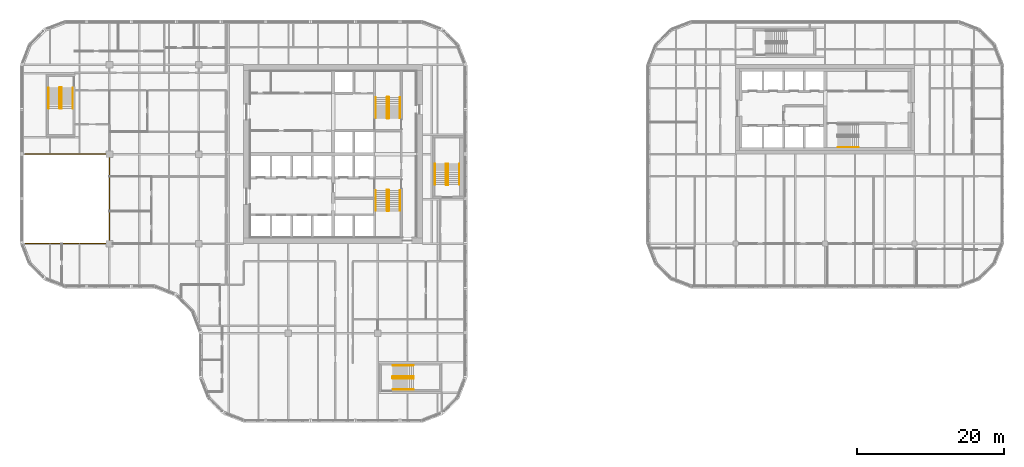
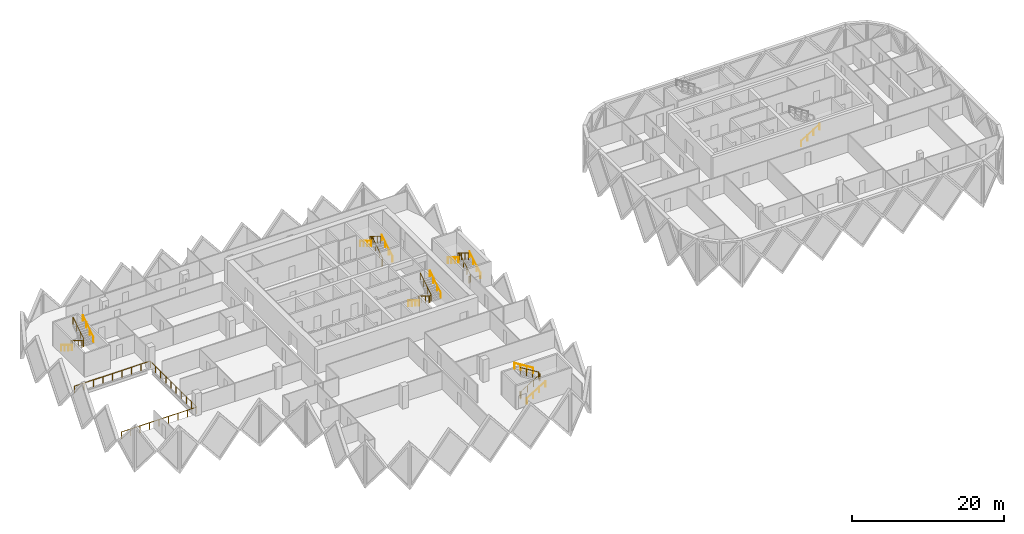
# One storey, part 20 of 21: 17 railings.
"""IFC4 building model written with IfcOpenShell, lengths in metres."""

from ifc_helpers import new_model, si_unit, direction, frame, origin, origin_2d, place, context, subcontext, project, spatial, circle, extrude, material, type_object, element, save


model = new_model("IFC4")

# Units and contexts
model_context = context("Model", 3, precision=1e-05, world=origin(), true_north=direction((0.0, 1.0)))
body_context = subcontext(model_context, "Body", "Model", "MODEL_VIEW")
ifc_project = project(units=[si_unit("LENGTHUNIT", "METRE"), si_unit("AREAUNIT", "SQUARE_METRE"), si_unit("VOLUMEUNIT", "CUBIC_METRE"), si_unit("PLANEANGLEUNIT", "RADIAN"), si_unit("MASSUNIT", "GRAM", prefix="KILO")], contexts=[model_context])

# Site, building, storey
site_placement = place(None, origin())
site = spatial("IfcSite", under=ifc_project, at=site_placement, CompositionType="ELEMENT")
building_placement = place(site_placement, origin())
building = spatial("IfcBuilding", under=site, at=building_placement, Name="Tessera Gate Towers", CompositionType="ELEMENT")
storey_placement = place(building_placement, frame((0.0, 0.0, 91.39990234375)))
storey = spatial("IfcBuildingStorey", under=building, at=storey_placement, Name="L22", CompositionType="ELEMENT", Elevation=91.39990234375)

# Railings
ifc_material_1 = material(Name="Toughened glass with stainless steel handrail", Category="steel")
railing_type_1 = type_object("IfcRailingType", Name="GUARD 1100 GLASS BALUSTRADE", PredefinedType="GUARDRAIL", material=ifc_material_1)
railing_1_placement = place(storey_placement, frame((0.750244140625, 24.39990234375, 0.0)))
element("IfcRailing", 1, at=railing_1_placement, inside=storey, type_object=railing_type_1, Name="Guard", PredefinedType="GUARDRAIL", context=body_context, shape_type="SweptSolid", body=[
    extrude(circle(Radius=0.02490234375, at=origin_2d()), frame((0.0, 0.0, 1.0751953125), z_axis=(1.0, 0.0, 0.0), x_axis=(0.0, 1.0, 0.0)), (0.0, 0.0, 1.0), 11.44970703125),
    extrude(circle(Radius=0.02490234375, at=origin_2d()), frame((11.44970703125, 0.0, 1.0751953125), z_axis=(0.0, 1.0, 0.0), x_axis=(-1.0, 0.0, 0.0)), (0.0, 0.0, 1.0), 12.2001953125),
    extrude(circle(Radius=0.02490234375, at=origin_2d()), frame((11.44970703125, 12.2001953125, 1.0751953125), z_axis=(-1.0, 0.0, 0.0), x_axis=(0.0, -1.0, 0.0)), (0.0, 0.0, 1.0), 11.5),
    extrude(circle(Radius=0.02490234375, at=origin_2d()), origin(), (0.0, 0.0, 1.0), 1.050048828125),
    extrude(circle(Radius=0.02490234375, at=origin_2d()), frame((1.43115234375, 0.0, 0.0)), (0.0, 0.0, 1.0), 1.050048828125),
    extrude(circle(Radius=0.02490234375, at=origin_2d()), frame((2.8623046875, 0.0, 0.0)), (0.0, 0.0, 1.0), 1.050048828125),
    extrude(circle(Radius=0.02490234375, at=origin_2d()), frame((4.293701171875, 0.0, 0.0)), (0.0, 0.0, 1.0), 1.050048828125),
    extrude(circle(Radius=0.02490234375, at=origin_2d()), frame((5.724853515625, 0.0, 0.0)), (0.0, 0.0, 1.0), 1.050048828125),
    extrude(circle(Radius=0.02490234375, at=origin_2d()), frame((7.156005859375, 0.0, 0.0)), (0.0, 0.0, 1.0), 1.050048828125),
    extrude(circle(Radius=0.02490234375, at=origin_2d()), frame((8.58740234375, 0.0, 0.0)), (0.0, 0.0, 1.0), 1.050048828125),
    extrude(circle(Radius=0.02490234375, at=origin_2d()), frame((10.0185546875, 0.0, 0.0)), (0.0, 0.0, 1.0), 1.050048828125),
    extrude(circle(Radius=0.02490234375, at=origin_2d()), frame((11.44970703125, 0.0, 0.0)), (0.0, 0.0, 1.0), 1.050048828125),
    extrude(circle(Radius=0.02490234375, at=origin_2d()), frame((11.44970703125, 1.35546875, 0.0)), (0.0, 0.0, 1.0), 1.050048828125),
    extrude(circle(Radius=0.02490234375, at=origin_2d()), frame((11.44970703125, 2.711181640625, 0.0)), (0.0, 0.0, 1.0), 1.050048828125),
    extrude(circle(Radius=0.02490234375, at=origin_2d()), frame((11.44970703125, 4.066650390625, 0.0)), (0.0, 0.0, 1.0), 1.050048828125),
    extrude(circle(Radius=0.02490234375, at=origin_2d()), frame((11.44970703125, 5.42236328125, 0.0)), (0.0, 0.0, 1.0), 1.050048828125),
    extrude(circle(Radius=0.02490234375, at=origin_2d()), frame((11.44970703125, 6.77783203125, 0.0)), (0.0, 0.0, 1.0), 1.050048828125),
    extrude(circle(Radius=0.02490234375, at=origin_2d()), frame((11.44970703125, 8.133544921875, 0.0)), (0.0, 0.0, 1.0), 1.050048828125),
    extrude(circle(Radius=0.02490234375, at=origin_2d()), frame((11.44970703125, 9.489013671875, 0.0)), (0.0, 0.0, 1.0), 1.050048828125),
    extrude(circle(Radius=0.02490234375, at=origin_2d()), frame((11.44970703125, 10.8447265625, 0.0)), (0.0, 0.0, 1.0), 1.050048828125),
    extrude(circle(Radius=0.02490234375, at=origin_2d()), frame((11.44970703125, 12.2001953125, 0.0)), (0.0, 0.0, 1.0), 1.050048828125),
    extrude(circle(Radius=0.02490234375, at=origin_2d()), frame((10.01220703125, 12.2001953125, 0.0)), (0.0, 0.0, 1.0), 1.050048828125),
    extrude(circle(Radius=0.02490234375, at=origin_2d()), frame((8.57470703125, 12.2001953125, 0.0)), (0.0, 0.0, 1.0), 1.050048828125),
    extrude(circle(Radius=0.02490234375, at=origin_2d()), frame((7.13720703125, 12.2001953125, 0.0)), (0.0, 0.0, 1.0), 1.050048828125),
    extrude(circle(Radius=0.02490234375, at=origin_2d()), frame((5.69970703125, 12.2001953125, 0.0)), (0.0, 0.0, 1.0), 1.050048828125),
    extrude(circle(Radius=0.02490234375, at=origin_2d()), frame((4.26220703125, 12.2001953125, 0.0)), (0.0, 0.0, 1.0), 1.050048828125),
    extrude(circle(Radius=0.02490234375, at=origin_2d()), frame((2.82470703125, 12.2001953125, 0.0)), (0.0, 0.0, 1.0), 1.050048828125),
    extrude(circle(Radius=0.02490234375, at=origin_2d()), frame((1.38720703125, 12.2001953125, 0.0)), (0.0, 0.0, 1.0), 1.050048828125),
    extrude(circle(Radius=0.02490234375, at=origin_2d()), frame((-0.05029296875, 12.2001953125, 0.0)), (0.0, 0.0, 1.0), 1.050048828125),
])
ifc_material_2 = material(Name="Steel 350W", Category="steel")
railing_type_2 = type_object("IfcRailingType", Name="STAIR GUARD 1100", PredefinedType="GUARDRAIL", material=ifc_material_2)
railing_2_placement = place(storey_placement, frame((50.27490234375, 31.72509765625, 0.0)))
element("IfcRailing", 2, at=railing_2_placement, inside=storey, type_object=railing_type_2, Name="L22 ST1 stair guard 1", PredefinedType="GUARDRAIL", context=body_context, shape_type="SweptSolid", body=[
    extrude(circle(Radius=0.02392578125, at=origin_2d()), frame((0.0, 0.0, 1.076171875), z_axis=(-1.0, 0.0, 0.0), x_axis=(0.0, -1.0, 0.0)), (0.0, 0.0, 1.0), 0.199951171875),
    extrude(circle(Radius=0.02392578125, at=origin_2d()), frame((-0.199951171875, 0.0, 1.076171875), z_axis=(-0.267953482034, -0.267953482034, 0.925419830635), x_axis=(0.707106781187, -0.707106781187, 0.0)), (0.0, 0.0, 1.0), 0.186767578125),
    extrude(circle(Radius=0.02392578125, at=origin_2d()), frame((-0.25, -0.050048828125, 1.2490234375), z_axis=(0.0, -0.851089632645, 0.525020415988), x_axis=(1.0, 0.0, 0.0)), (0.0, 0.0, 1.0), 3.2900390625),
    extrude(circle(Radius=0.02392578125, at=origin_2d()), frame((-0.25, -2.85009765625, 2.97607421875), z_axis=(0.707106781187, -0.707106781187, 0.0), x_axis=(0.707106781187, 0.707106781187, 0.0)), (0.0, 0.0, 1.0), 0.07080078125),
    extrude(circle(Radius=0.02392578125, at=origin_2d()), frame((-0.199951171875, -2.900146484375, 2.97607421875), z_axis=(1.0, 0.0, 0.0), x_axis=(0.0, 1.0, 0.0)), (0.0, 0.0, 1.0), 0.199951171875),
    extrude(circle(Radius=0.02392578125, at=origin_2d()), frame((0.0, -2.900146484375, 2.97607421875), z_axis=(0.268277960024, 0.268277960024, 0.925231793839), x_axis=(-0.707106781187, 0.707106781187, 0.0)), (0.0, 0.0, 1.0), 0.1865234375),
    extrude(circle(Radius=0.02392578125, at=origin_2d()), frame((0.050048828125, -2.85009765625, 3.14892578125), z_axis=(0.0, 0.851089632645, 0.525020415988), x_axis=(-1.0, 0.0, 0.0)), (0.0, 0.0, 1.0), 3.2900390625),
    extrude(circle(Radius=0.02099609375, at=origin_2d()), origin(), (0.0, 0.0, 1.0), 1.052001953125),
    extrude(circle(Radius=0.02099609375, at=origin_2d()), frame((-0.199951171875, 0.0, 0.0)), (0.0, 0.0, 1.0), 1.052001953125),
    extrude(circle(Radius=0.02099609375, at=origin_2d()), frame((-0.25, -0.050048828125, 0.1728515625)), (0.0, 0.0, 1.0), 1.052001953125),
    extrude(circle(Radius=0.02099609375, at=origin_2d()), frame((-0.25, -0.9833984375, 0.74853515625)), (0.0, 0.0, 1.0), 1.052001953125),
    extrude(circle(Radius=0.02099609375, at=origin_2d()), frame((-0.25, -1.916748046875, 1.324462890625)), (0.0, 0.0, 1.0), 1.052001953125),
    extrude(circle(Radius=0.02099609375, at=origin_2d()), frame((-0.25, -2.85009765625, 1.900146484375)), (0.0, 0.0, 1.0), 1.052001953125),
    extrude(circle(Radius=0.02099609375, at=origin_2d()), frame((-0.199951171875, -2.900146484375, 1.900146484375)), (0.0, 0.0, 1.0), 1.052001953125),
    extrude(circle(Radius=0.02099609375, at=origin_2d()), frame((0.0, -2.900146484375, 1.900146484375)), (0.0, 0.0, 1.0), 1.052001953125),
    extrude(circle(Radius=0.02099609375, at=origin_2d()), frame((0.050048828125, -2.85009765625, 2.07275390625)), (0.0, 0.0, 1.0), 1.052001953125),
    extrude(circle(Radius=0.02099609375, at=origin_2d()), frame((0.050048828125, -1.916748046875, 2.6484375)), (0.0, 0.0, 1.0), 1.052001953125),
    extrude(circle(Radius=0.02099609375, at=origin_2d()), frame((0.050048828125, -0.9833984375, 3.224365234375)), (0.0, 0.0, 1.0), 1.052001953125),
    extrude(circle(Radius=0.02099609375, at=origin_2d()), frame((0.050048828125, -0.050048828125, 3.800048828125)), (0.0, 0.0, 1.0), 1.052001953125),
])
railing_3_placement = place(storey_placement, frame((50.074951171875, 41.47509765625, 0.0)))
element("IfcRailing", 3, at=railing_3_placement, inside=storey, type_object=railing_type_2, Name="L22 ST2 stair guard 1", PredefinedType="GUARDRAIL", context=body_context, shape_type="SweptSolid", body=[
    extrude(circle(Radius=0.02392578125, at=origin_2d()), frame((0.0, 0.0, 1.076171875), z_axis=(1.0, 0.0, 0.0), x_axis=(0.0, 1.0, 0.0)), (0.0, 0.0, 1.0), 0.199951171875),
    extrude(circle(Radius=0.02392578125, at=origin_2d()), frame((0.199951171875, 0.0, 1.076171875), z_axis=(0.268047150085, 0.266739603011, 0.925743328097), x_axis=(-0.705375805398, 0.708833529934, 0.0)), (0.0, 0.0, 1.0), 0.186767578125),
    extrude(circle(Radius=0.02392578125, at=origin_2d()), frame((0.25, 0.0498046875, 1.2490234375), z_axis=(0.0, 0.851089632645, 0.525020415988), x_axis=(-1.0, 0.0, 0.0)), (0.0, 0.0, 1.0), 3.2900390625),
    extrude(circle(Radius=0.02392578125, at=origin_2d()), frame((0.25, 2.849853515625, 2.97607421875), z_axis=(-0.707106781187, 0.707106781187, 0.0), x_axis=(-0.707106781187, -0.707106781187, 0.0)), (0.0, 0.0, 1.0), 0.07080078125),
    extrude(circle(Radius=0.02392578125, at=origin_2d()), frame((0.199951171875, 2.89990234375, 2.97607421875), z_axis=(-1.0, 0.0, 0.0), x_axis=(0.0, -1.0, 0.0)), (0.0, 0.0, 1.0), 0.199951171875),
    extrude(circle(Radius=0.02392578125, at=origin_2d()), frame((0.0, 2.89990234375, 2.97607421875), z_axis=(-0.268277960024, -0.268277960024, 0.925231793839), x_axis=(0.707106781187, -0.707106781187, 0.0)), (0.0, 0.0, 1.0), 0.1865234375),
    extrude(circle(Radius=0.02392578125, at=origin_2d()), frame((-0.050048828125, 2.849853515625, 3.14892578125), z_axis=(0.0, -0.851089632645, 0.525020415988), x_axis=(1.0, 0.0, 0.0)), (0.0, 0.0, 1.0), 3.2900390625),
    extrude(circle(Radius=0.02099609375, at=origin_2d()), origin(), (0.0, 0.0, 1.0), 1.052001953125),
    extrude(circle(Radius=0.02099609375, at=origin_2d()), frame((0.199951171875, 0.0, 0.0)), (0.0, 0.0, 1.0), 1.052001953125),
    extrude(circle(Radius=0.02099609375, at=origin_2d()), frame((0.25, 0.0498046875, 0.1728515625)), (0.0, 0.0, 1.0), 1.052001953125),
    extrude(circle(Radius=0.02099609375, at=origin_2d()), frame((0.25, 0.983154296875, 0.74853515625)), (0.0, 0.0, 1.0), 1.052001953125),
    extrude(circle(Radius=0.02099609375, at=origin_2d()), frame((0.25, 1.91650390625, 1.324462890625)), (0.0, 0.0, 1.0), 1.052001953125),
    extrude(circle(Radius=0.02099609375, at=origin_2d()), frame((0.25, 2.849853515625, 1.900146484375)), (0.0, 0.0, 1.0), 1.052001953125),
    extrude(circle(Radius=0.02099609375, at=origin_2d()), frame((0.199951171875, 2.89990234375, 1.900146484375)), (0.0, 0.0, 1.0), 1.052001953125),
    extrude(circle(Radius=0.02099609375, at=origin_2d()), frame((0.0, 2.89990234375, 1.900146484375)), (0.0, 0.0, 1.0), 1.052001953125),
    extrude(circle(Radius=0.02099609375, at=origin_2d()), frame((-0.050048828125, 2.849853515625, 2.07275390625)), (0.0, 0.0, 1.0), 1.052001953125),
    extrude(circle(Radius=0.02099609375, at=origin_2d()), frame((-0.050048828125, 1.91650390625, 2.6484375)), (0.0, 0.0, 1.0), 1.052001953125),
    extrude(circle(Radius=0.02099609375, at=origin_2d()), frame((-0.050048828125, 0.983154296875, 3.224365234375)), (0.0, 0.0, 1.0), 1.052001953125),
    extrude(circle(Radius=0.02099609375, at=origin_2d()), frame((-0.050048828125, 0.0498046875, 3.800048828125)), (0.0, 0.0, 1.0), 1.052001953125),
])
railing_4_placement = place(storey_placement, frame((5.64990234375, 45.699951171875, 0.0)))
element("IfcRailing", 4, at=railing_4_placement, inside=storey, type_object=railing_type_2, Name="L22 ST3 stair guard 1", PredefinedType="GUARDRAIL", context=body_context, shape_type="SweptSolid", body=[
    extrude(circle(Radius=0.02392578125, at=origin_2d()), frame((0.0, 0.0, 1.076171875), z_axis=(-1.0, 0.0, 0.0), x_axis=(0.0, -1.0, 0.0)), (0.0, 0.0, 1.0), 0.199951171875),
    extrude(circle(Radius=0.02392578125, at=origin_2d()), frame((-0.199951171875, 0.0, 1.076171875), z_axis=(-0.267953482034, -0.267953482034, 0.925419830635), x_axis=(0.707106781187, -0.707106781187, 0.0)), (0.0, 0.0, 1.0), 0.186767578125),
    extrude(circle(Radius=0.02392578125, at=origin_2d()), frame((-0.25, -0.050048828125, 1.2490234375), z_axis=(0.0, -0.851069175582, 0.525053576669), x_axis=(1.0, 0.0, 0.0)), (0.0, 0.0, 1.0), 3.289794921875),
    extrude(circle(Radius=0.02392578125, at=origin_2d()), frame((-0.25, -2.849853515625, 2.97607421875), z_axis=(0.707106781187, -0.707106781187, 0.0), x_axis=(0.707106781187, 0.707106781187, 0.0)), (0.0, 0.0, 1.0), 0.07080078125),
    extrude(circle(Radius=0.02392578125, at=origin_2d()), frame((-0.199951171875, -2.89990234375, 2.97607421875), z_axis=(1.0, 0.0, 0.0), x_axis=(0.0, 1.0, 0.0)), (0.0, 0.0, 1.0), 0.199951171875),
    extrude(circle(Radius=0.02392578125, at=origin_2d()), frame((0.0, -2.89990234375, 2.97607421875), z_axis=(0.268277960024, 0.268277960024, 0.925231793839), x_axis=(-0.707106781187, 0.707106781187, 0.0)), (0.0, 0.0, 1.0), 0.1865234375),
    extrude(circle(Radius=0.02392578125, at=origin_2d()), frame((0.050048828125, -2.849853515625, 3.14892578125), z_axis=(0.0, 0.851069175582, 0.525053576669), x_axis=(-1.0, 0.0, 0.0)), (0.0, 0.0, 1.0), 3.289794921875),
    extrude(circle(Radius=0.02099609375, at=origin_2d()), origin(), (0.0, 0.0, 1.0), 1.052001953125),
    extrude(circle(Radius=0.02099609375, at=origin_2d()), frame((-0.199951171875, 0.0, 0.0)), (0.0, 0.0, 1.0), 1.052001953125),
    extrude(circle(Radius=0.02099609375, at=origin_2d()), frame((-0.25, -0.050048828125, 0.1728515625)), (0.0, 0.0, 1.0), 1.052001953125),
    extrude(circle(Radius=0.02099609375, at=origin_2d()), frame((-0.25, -0.9833984375, 0.74853515625)), (0.0, 0.0, 1.0), 1.052001953125),
    extrude(circle(Radius=0.02099609375, at=origin_2d()), frame((-0.25, -1.91650390625, 1.324462890625)), (0.0, 0.0, 1.0), 1.052001953125),
    extrude(circle(Radius=0.02099609375, at=origin_2d()), frame((-0.25, -2.849853515625, 1.900146484375)), (0.0, 0.0, 1.0), 1.052001953125),
    extrude(circle(Radius=0.02099609375, at=origin_2d()), frame((-0.199951171875, -2.89990234375, 1.900146484375)), (0.0, 0.0, 1.0), 1.052001953125),
    extrude(circle(Radius=0.02099609375, at=origin_2d()), frame((0.0, -2.89990234375, 1.900146484375)), (0.0, 0.0, 1.0), 1.052001953125),
    extrude(circle(Radius=0.02099609375, at=origin_2d()), frame((0.050048828125, -2.849853515625, 2.07275390625)), (0.0, 0.0, 1.0), 1.052001953125),
    extrude(circle(Radius=0.02099609375, at=origin_2d()), frame((0.050048828125, -1.91650390625, 2.6484375)), (0.0, 0.0, 1.0), 1.052001953125),
    extrude(circle(Radius=0.02099609375, at=origin_2d()), frame((0.050048828125, -0.9833984375, 3.224365234375)), (0.0, 0.0, 1.0), 1.052001953125),
    extrude(circle(Radius=0.02099609375, at=origin_2d()), frame((0.050048828125, -0.050048828125, 3.800048828125)), (0.0, 0.0, 1.0), 1.052001953125),
])
railing_5_placement = place(storey_placement, frame((50.800048828125, 6.25, 0.0)))
element("IfcRailing", 5, at=railing_5_placement, inside=storey, type_object=railing_type_2, Name="L22 ST4 stair guard 1", PredefinedType="GUARDRAIL", context=body_context, shape_type="SweptSolid", body=[
    extrude(circle(Radius=0.02392578125, at=origin_2d()), frame((0.0, 0.0, 1.076171875), z_axis=(0.0, -1.0, 0.0), x_axis=(1.0, 0.0, 0.0)), (0.0, 0.0, 1.0), 0.199951171875),
    extrude(circle(Radius=0.02392578125, at=origin_2d()), frame((0.0, -0.199951171875, 1.076171875), z_axis=(0.267953482034, -0.267953482034, 0.925419830635), x_axis=(0.707106781187, 0.707106781187, 0.0)), (0.0, 0.0, 1.0), 0.186767578125),
    extrude(circle(Radius=0.02392578125, at=origin_2d()), frame((0.050048828125, -0.25, 1.2490234375), z_axis=(0.851069175582, 0.0, 0.525053576669), x_axis=(0.0, 1.0, 0.0)), (0.0, 0.0, 1.0), 3.289794921875),
    extrude(circle(Radius=0.02392578125, at=origin_2d()), frame((2.849853515625, -0.25, 2.97607421875), z_axis=(0.707106781187, 0.707106781187, 0.0), x_axis=(-0.707106781187, 0.707106781187, 0.0)), (0.0, 0.0, 1.0), 0.07080078125),
    extrude(circle(Radius=0.02392578125, at=origin_2d()), frame((2.89990234375, -0.199951171875, 2.97607421875), z_axis=(0.0, 1.0, 0.0), x_axis=(-1.0, 0.0, 0.0)), (0.0, 0.0, 1.0), 0.199951171875),
    extrude(circle(Radius=0.02392578125, at=origin_2d()), frame((2.89990234375, 0.0, 2.97607421875), z_axis=(-0.268277960024, 0.268277960024, 0.925231793839), x_axis=(-0.707106781187, -0.707106781187, 0.0)), (0.0, 0.0, 1.0), 0.1865234375),
    extrude(circle(Radius=0.02392578125, at=origin_2d()), frame((2.849853515625, 0.050048828125, 3.14892578125), z_axis=(-0.851069175582, 0.0, 0.525053576669), x_axis=(0.0, -1.0, 0.0)), (0.0, 0.0, 1.0), 3.289794921875),
    extrude(circle(Radius=0.02099609375, at=origin_2d()), origin(), (0.0, 0.0, 1.0), 1.052001953125),
    extrude(circle(Radius=0.02099609375, at=origin_2d()), frame((0.0, -0.199951171875, 0.0)), (0.0, 0.0, 1.0), 1.052001953125),
    extrude(circle(Radius=0.02099609375, at=origin_2d()), frame((0.050048828125, -0.25, 0.1728515625)), (0.0, 0.0, 1.0), 1.052001953125),
    extrude(circle(Radius=0.02099609375, at=origin_2d()), frame((0.9833984375, -0.25, 0.74853515625)), (0.0, 0.0, 1.0), 1.052001953125),
    extrude(circle(Radius=0.02099609375, at=origin_2d()), frame((1.91650390625, -0.25, 1.324462890625)), (0.0, 0.0, 1.0), 1.052001953125),
    extrude(circle(Radius=0.02099609375, at=origin_2d()), frame((2.849853515625, -0.25, 1.900146484375)), (0.0, 0.0, 1.0), 1.052001953125),
    extrude(circle(Radius=0.02099609375, at=origin_2d()), frame((2.89990234375, -0.199951171875, 1.900146484375)), (0.0, 0.0, 1.0), 1.052001953125),
    extrude(circle(Radius=0.02099609375, at=origin_2d()), frame((2.89990234375, 0.0, 1.900146484375)), (0.0, 0.0, 1.0), 1.052001953125),
    extrude(circle(Radius=0.02099609375, at=origin_2d()), frame((2.849853515625, 0.050048828125, 2.07275390625)), (0.0, 0.0, 1.0), 1.052001953125),
    extrude(circle(Radius=0.02099609375, at=origin_2d()), frame((1.91650390625, 0.050048828125, 2.6484375)), (0.0, 0.0, 1.0), 1.052001953125),
    extrude(circle(Radius=0.02099609375, at=origin_2d()), frame((0.9833984375, 0.050048828125, 3.224365234375)), (0.0, 0.0, 1.0), 1.052001953125),
    extrude(circle(Radius=0.02099609375, at=origin_2d()), frame((0.050048828125, 0.050048828125, 3.800048828125)), (0.0, 0.0, 1.0), 1.052001953125),
])
railing_6_placement = place(storey_placement, frame((58.14990234375, 32.39990234375, 0.0)))
element("IfcRailing", 6, at=railing_6_placement, inside=storey, type_object=railing_type_2, Name="L22 ST5 stair guard 1", PredefinedType="GUARDRAIL", context=body_context, shape_type="SweptSolid", body=[
    extrude(circle(Radius=0.02392578125, at=origin_2d()), frame((0.0, 0.0, 1.076171875), z_axis=(1.0, 0.0, 0.0), x_axis=(0.0, 1.0, 0.0)), (0.0, 0.0, 1.0), 0.2001953125),
    extrude(circle(Radius=0.02392578125, at=origin_2d()), frame((0.2001953125, 0.0, 1.076171875), z_axis=(0.266739603011, 0.268047150085, 0.925743328097), x_axis=(-0.708833529934, 0.705375805398, 0.0)), (0.0, 0.0, 1.0), 0.186767578125),
    extrude(circle(Radius=0.02392578125, at=origin_2d()), frame((0.25, 0.050048828125, 1.2490234375), z_axis=(0.0, 0.851089632645, 0.525020415988), x_axis=(-1.0, 0.0, 0.0)), (0.0, 0.0, 1.0), 3.2900390625),
    extrude(circle(Radius=0.02392578125, at=origin_2d()), frame((0.25, 2.85009765625, 2.97607421875), z_axis=(-0.705375805398, 0.708833529934, 0.0), x_axis=(-0.708833529934, -0.705375805398, 0.0)), (0.0, 0.0, 1.0), 0.070556640625),
    extrude(circle(Radius=0.02392578125, at=origin_2d()), frame((0.2001953125, 2.900146484375, 2.97607421875), z_axis=(-1.0, 0.0, 0.0), x_axis=(0.0, -1.0, 0.0)), (0.0, 0.0, 1.0), 0.2001953125),
    extrude(circle(Radius=0.02392578125, at=origin_2d()), frame((0.0, 2.900146484375, 2.97607421875), z_axis=(-0.267062837333, -0.268371968888, 0.925556009775), x_axis=(0.708833529934, -0.705375805398, 0.0)), (0.0, 0.0, 1.0), 0.1865234375),
    extrude(circle(Radius=0.02392578125, at=origin_2d()), frame((-0.0498046875, 2.85009765625, 3.14892578125), z_axis=(0.0, -0.851089632645, 0.525020415988), x_axis=(1.0, 0.0, 0.0)), (0.0, 0.0, 1.0), 3.2900390625),
    extrude(circle(Radius=0.02099609375, at=origin_2d()), origin(), (0.0, 0.0, 1.0), 1.052001953125),
    extrude(circle(Radius=0.02099609375, at=origin_2d()), frame((0.2001953125, 0.0, 0.0)), (0.0, 0.0, 1.0), 1.052001953125),
    extrude(circle(Radius=0.02099609375, at=origin_2d()), frame((0.25, 0.050048828125, 0.1728515625)), (0.0, 0.0, 1.0), 1.052001953125),
    extrude(circle(Radius=0.02099609375, at=origin_2d()), frame((0.25, 0.9833984375, 0.74853515625)), (0.0, 0.0, 1.0), 1.052001953125),
    extrude(circle(Radius=0.02099609375, at=origin_2d()), frame((0.25, 1.916748046875, 1.324462890625)), (0.0, 0.0, 1.0), 1.052001953125),
    extrude(circle(Radius=0.02099609375, at=origin_2d()), frame((0.25, 2.85009765625, 1.900146484375)), (0.0, 0.0, 1.0), 1.052001953125),
    extrude(circle(Radius=0.02099609375, at=origin_2d()), frame((0.2001953125, 2.900146484375, 1.900146484375)), (0.0, 0.0, 1.0), 1.052001953125),
    extrude(circle(Radius=0.02099609375, at=origin_2d()), frame((0.0, 2.900146484375, 1.900146484375)), (0.0, 0.0, 1.0), 1.052001953125),
    extrude(circle(Radius=0.02099609375, at=origin_2d()), frame((-0.0498046875, 2.85009765625, 2.07275390625)), (0.0, 0.0, 1.0), 1.052001953125),
    extrude(circle(Radius=0.02099609375, at=origin_2d()), frame((-0.0498046875, 1.916748046875, 2.6484375)), (0.0, 0.0, 1.0), 1.052001953125),
    extrude(circle(Radius=0.02099609375, at=origin_2d()), frame((-0.0498046875, 0.9833984375, 3.224365234375)), (0.0, 0.0, 1.0), 1.052001953125),
    extrude(circle(Radius=0.02099609375, at=origin_2d()), frame((-0.0498046875, 0.050048828125, 3.800048828125)), (0.0, 0.0, 1.0), 1.052001953125),
])
ifc_material_3 = material(Name="Steel 350W", Category="steel")
railing_type_3 = type_object("IfcRailingType", Name="STAIR HANDRAIL 900", PredefinedType="HANDRAIL", material=ifc_material_3)
railing_7_placement = place(storey_placement, frame((48.52490234375, 31.675048828125, 0.1728515625)))
element("IfcRailing", 7, at=railing_7_placement, inside=storey, type_object=railing_type_3, Name="L22 ST1 stair handrail 1", PredefinedType="HANDRAIL", context=body_context, shape_type="SweptSolid", body=[
    extrude(circle(Radius=0.02392578125, at=origin_2d()), frame((0.0, 0.0, 0.8759765625), z_axis=(0.0, -0.851089632645, 0.525020415988), x_axis=(1.0, 0.0, 0.0)), (0.0, 0.0, 1.0), 3.2900390625),
    extrude(circle(Radius=0.02099609375, at=origin_2d()), origin(), (0.0, 0.0, 1.0), 0.851806640625),
    extrude(circle(Radius=0.02099609375, at=origin_2d()), frame((0.0, -0.933349609375, 0.57568359375)), (0.0, 0.0, 1.0), 0.851806640625),
    extrude(circle(Radius=0.02099609375, at=origin_2d()), frame((0.0, -1.86669921875, 1.151611328125)), (0.0, 0.0, 1.0), 0.851806640625),
    extrude(circle(Radius=0.02099609375, at=origin_2d()), frame((0.0, -2.800048828125, 1.727294921875)), (0.0, 0.0, 1.0), 0.851806640625),
])
for number, where, name in (
    (8, (51.824951171875, 28.875, 2.07275390625), "L22 ST1 stair handrail 2"),
    (9, (51.824951171875, 41.52490234375, 0.1728515625), "L22 ST2 stair handrail 1"),
):
    element("IfcRailing", number, at=place(storey_placement, frame(where)), inside=storey, type_object=railing_type_3, Name=name, PredefinedType="HANDRAIL", context=body_context, shape_type="SweptSolid", body=[
        extrude(circle(Radius=0.02392578125, at=origin_2d()), frame((0.0, 0.0, 0.8759765625), z_axis=(0.0, 0.851089632645, 0.525020415988), x_axis=(-1.0, 0.0, 0.0)), (0.0, 0.0, 1.0), 3.2900390625),
        extrude(circle(Radius=0.02099609375, at=origin_2d()), origin(), (0.0, 0.0, 1.0), 0.851806640625),
        extrude(circle(Radius=0.02099609375, at=origin_2d()), frame((0.0, 0.933349609375, 0.57568359375)), (0.0, 0.0, 1.0), 0.851806640625),
        extrude(circle(Radius=0.02099609375, at=origin_2d()), frame((0.0, 1.86669921875, 1.151611328125)), (0.0, 0.0, 1.0), 0.851806640625),
        extrude(circle(Radius=0.02099609375, at=origin_2d()), frame((0.0, 2.800048828125, 1.727294921875)), (0.0, 0.0, 1.0), 0.851806640625),
    ])
railing_8_placement = place(storey_placement, frame((48.52490234375, 44.324951171875, 2.07275390625)))
element("IfcRailing", 10, at=railing_8_placement, inside=storey, type_object=railing_type_3, Name="L22 ST2 stair handrail 2", PredefinedType="HANDRAIL", context=body_context, shape_type="SweptSolid", body=[
    extrude(circle(Radius=0.02392578125, at=origin_2d()), frame((0.0, 0.0, 0.8759765625), z_axis=(0.0, -0.851089632645, 0.525020415988), x_axis=(1.0, 0.0, 0.0)), (0.0, 0.0, 1.0), 3.2900390625),
    extrude(circle(Radius=0.02099609375, at=origin_2d()), origin(), (0.0, 0.0, 1.0), 0.851806640625),
    extrude(circle(Radius=0.02099609375, at=origin_2d()), frame((0.0, -0.933349609375, 0.57568359375)), (0.0, 0.0, 1.0), 0.851806640625),
    extrude(circle(Radius=0.02099609375, at=origin_2d()), frame((0.0, -1.86669921875, 1.151611328125)), (0.0, 0.0, 1.0), 0.851806640625),
    extrude(circle(Radius=0.02099609375, at=origin_2d()), frame((0.0, -2.800048828125, 1.727294921875)), (0.0, 0.0, 1.0), 0.851806640625),
])
railing_9_placement = place(storey_placement, frame((3.89990234375, 45.64990234375, 0.1728515625)))
element("IfcRailing", 11, at=railing_9_placement, inside=storey, type_object=railing_type_3, Name="L22 ST3 stair handrail 1", PredefinedType="HANDRAIL", context=body_context, shape_type="SweptSolid", body=[
    extrude(circle(Radius=0.02392578125, at=origin_2d()), frame((0.0, 0.0, 0.8759765625), z_axis=(0.0, -0.851069175582, 0.525053576669), x_axis=(1.0, 0.0, 0.0)), (0.0, 0.0, 1.0), 3.289794921875),
    extrude(circle(Radius=0.02099609375, at=origin_2d()), origin(), (0.0, 0.0, 1.0), 0.851806640625),
    extrude(circle(Radius=0.02099609375, at=origin_2d()), frame((0.0, -0.933349609375, 0.57568359375)), (0.0, 0.0, 1.0), 0.851806640625),
    extrude(circle(Radius=0.02099609375, at=origin_2d()), frame((0.0, -1.866455078125, 1.151611328125)), (0.0, 0.0, 1.0), 0.851806640625),
    extrude(circle(Radius=0.02099609375, at=origin_2d()), frame((0.0, -2.7998046875, 1.727294921875)), (0.0, 0.0, 1.0), 0.851806640625),
])
railing_10_placement = place(storey_placement, frame((7.199951171875, 42.85009765625, 2.07275390625)))
element("IfcRailing", 12, at=railing_10_placement, inside=storey, type_object=railing_type_3, Name="L22 ST3 stair handrail 2", PredefinedType="HANDRAIL", context=body_context, shape_type="SweptSolid", body=[
    extrude(circle(Radius=0.02392578125, at=origin_2d()), frame((0.0, 0.0, 0.8759765625), z_axis=(0.0, 0.851069175582, 0.525053576669), x_axis=(-1.0, 0.0, 0.0)), (0.0, 0.0, 1.0), 3.289794921875),
    extrude(circle(Radius=0.02099609375, at=origin_2d()), origin(), (0.0, 0.0, 1.0), 0.851806640625),
    extrude(circle(Radius=0.02099609375, at=origin_2d()), frame((0.0, 0.933349609375, 0.57568359375)), (0.0, 0.0, 1.0), 0.851806640625),
    extrude(circle(Radius=0.02099609375, at=origin_2d()), frame((0.0, 1.866455078125, 1.151611328125)), (0.0, 0.0, 1.0), 0.851806640625),
    extrude(circle(Radius=0.02099609375, at=origin_2d()), frame((0.0, 2.7998046875, 1.727294921875)), (0.0, 0.0, 1.0), 0.851806640625),
])
railing_11_placement = place(storey_placement, frame((50.85009765625, 4.5, 0.1728515625)))
element("IfcRailing", 13, at=railing_11_placement, inside=storey, type_object=railing_type_3, Name="L22 ST4 stair handrail 1", PredefinedType="HANDRAIL", context=body_context, shape_type="SweptSolid", body=[
    extrude(circle(Radius=0.02392578125, at=origin_2d()), frame((0.0, 0.0, 0.8759765625), z_axis=(0.851069175582, 0.0, 0.525053576669), x_axis=(0.0, 1.0, 0.0)), (0.0, 0.0, 1.0), 3.289794921875),
    extrude(circle(Radius=0.02099609375, at=origin_2d()), origin(), (0.0, 0.0, 1.0), 0.851806640625),
    extrude(circle(Radius=0.02099609375, at=origin_2d()), frame((0.933349609375, 0.0, 0.57568359375)), (0.0, 0.0, 1.0), 0.851806640625),
    extrude(circle(Radius=0.02099609375, at=origin_2d()), frame((1.866455078125, 0.0, 1.151611328125)), (0.0, 0.0, 1.0), 0.851806640625),
    extrude(circle(Radius=0.02099609375, at=origin_2d()), frame((2.7998046875, 0.0, 1.727294921875)), (0.0, 0.0, 1.0), 0.851806640625),
])
railing_12_placement = place(storey_placement, frame((53.64990234375, 7.800048828125, 2.07275390625)))
element("IfcRailing", 14, at=railing_12_placement, inside=storey, type_object=railing_type_3, Name="L22 ST4 stair handrail 2", PredefinedType="HANDRAIL", context=body_context, shape_type="SweptSolid", body=[
    extrude(circle(Radius=0.02392578125, at=origin_2d()), frame((0.0, 0.0, 0.8759765625), z_axis=(-0.851069175582, 0.0, 0.525053576669), x_axis=(0.0, -1.0, 0.0)), (0.0, 0.0, 1.0), 3.289794921875),
    extrude(circle(Radius=0.02099609375, at=origin_2d()), origin(), (0.0, 0.0, 1.0), 0.851806640625),
    extrude(circle(Radius=0.02099609375, at=origin_2d()), frame((-0.933349609375, 0.0, 0.57568359375)), (0.0, 0.0, 1.0), 0.851806640625),
    extrude(circle(Radius=0.02099609375, at=origin_2d()), frame((-1.866455078125, 0.0, 1.151611328125)), (0.0, 0.0, 1.0), 0.851806640625),
    extrude(circle(Radius=0.02099609375, at=origin_2d()), frame((-2.7998046875, 0.0, 1.727294921875)), (0.0, 0.0, 1.0), 0.851806640625),
])
railing_13_placement = place(storey_placement, frame((59.89990234375, 32.449951171875, 0.1728515625)))
element("IfcRailing", 15, at=railing_13_placement, inside=storey, type_object=railing_type_3, Name="L22 ST5 stair handrail 1", PredefinedType="HANDRAIL", context=body_context, shape_type="SweptSolid", body=[
    extrude(circle(Radius=0.02392578125, at=origin_2d()), frame((0.0, 0.0, 0.8759765625), z_axis=(0.0, 0.851089632645, 0.525020415988), x_axis=(-1.0, 0.0, 0.0)), (0.0, 0.0, 1.0), 3.2900390625),
    extrude(circle(Radius=0.02099609375, at=origin_2d()), origin(), (0.0, 0.0, 1.0), 0.851806640625),
    extrude(circle(Radius=0.02099609375, at=origin_2d()), frame((0.0, 0.933349609375, 0.57568359375)), (0.0, 0.0, 1.0), 0.851806640625),
    extrude(circle(Radius=0.02099609375, at=origin_2d()), frame((0.0, 1.86669921875, 1.151611328125)), (0.0, 0.0, 1.0), 0.851806640625),
    extrude(circle(Radius=0.02099609375, at=origin_2d()), frame((0.0, 2.800048828125, 1.727294921875)), (0.0, 0.0, 1.0), 0.851806640625),
])
railing_14_placement = place(storey_placement, frame((56.60009765625, 35.25, 2.07275390625)))
element("IfcRailing", 16, at=railing_14_placement, inside=storey, type_object=railing_type_3, Name="L22 ST5 stair handrail 2", PredefinedType="HANDRAIL", context=body_context, shape_type="SweptSolid", body=[
    extrude(circle(Radius=0.02392578125, at=origin_2d()), frame((0.0, 0.0, 0.8759765625), z_axis=(0.0, -0.851089632645, 0.525020415988), x_axis=(1.0, 0.0, 0.0)), (0.0, 0.0, 1.0), 3.2900390625),
    extrude(circle(Radius=0.02099609375, at=origin_2d()), origin(), (0.0, 0.0, 1.0), 0.851806640625),
    extrude(circle(Radius=0.02099609375, at=origin_2d()), frame((0.0, -0.933349609375, 0.57568359375)), (0.0, 0.0, 1.0), 0.851806640625),
    extrude(circle(Radius=0.02099609375, at=origin_2d()), frame((0.0, -1.86669921875, 1.151611328125)), (0.0, 0.0, 1.0), 0.851806640625),
    extrude(circle(Radius=0.02099609375, at=origin_2d()), frame((0.0, -2.800048828125, 1.727294921875)), (0.0, 0.0, 1.0), 0.851806640625),
])
railing_15_placement = place(storey_placement, frame((111.550048828125, 37.550048828125, 0.1728515625)))
element("IfcRailing", 17, at=railing_15_placement, inside=storey, type_object=railing_type_3, Name="L22 ST6 stair handrail 1", PredefinedType="HANDRAIL", context=body_context, shape_type="SweptSolid", body=[
    extrude(circle(Radius=0.02392578125, at=origin_2d()), frame((0.0, 0.0, 0.8759765625), z_axis=(0.851089632645, 0.0, 0.525020415988), x_axis=(0.0, 1.0, 0.0)), (0.0, 0.0, 1.0), 3.2900390625),
    extrude(circle(Radius=0.02099609375, at=origin_2d()), origin(), (0.0, 0.0, 1.0), 0.851806640625),
    extrude(circle(Radius=0.02099609375, at=origin_2d()), frame((0.933349609375, 0.0, 0.57568359375)), (0.0, 0.0, 1.0), 0.851806640625),
    extrude(circle(Radius=0.02099609375, at=origin_2d()), frame((1.86669921875, 0.0, 1.151611328125)), (0.0, 0.0, 1.0), 0.851806640625),
    extrude(circle(Radius=0.02099609375, at=origin_2d()), frame((2.800048828125, 0.0, 1.727294921875)), (0.0, 0.0, 1.0), 0.851806640625),
])

save(model, "model.ifc")
